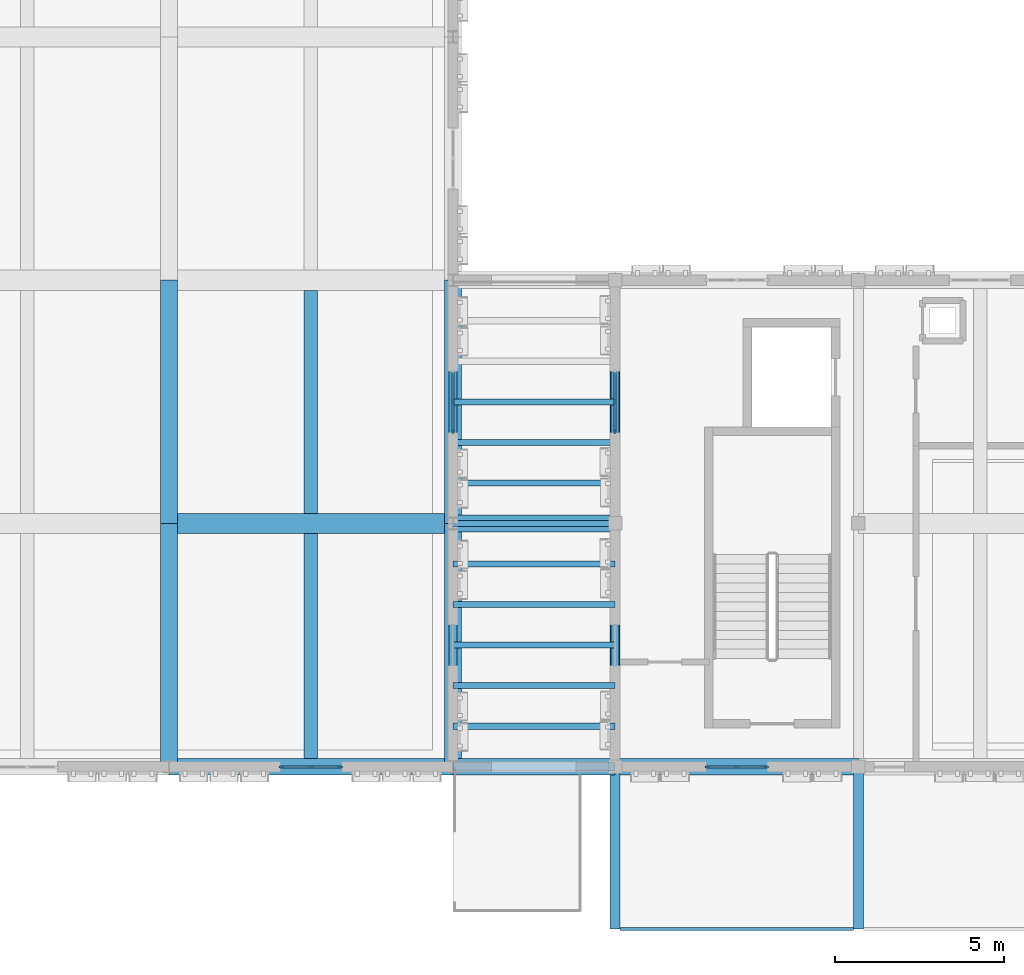
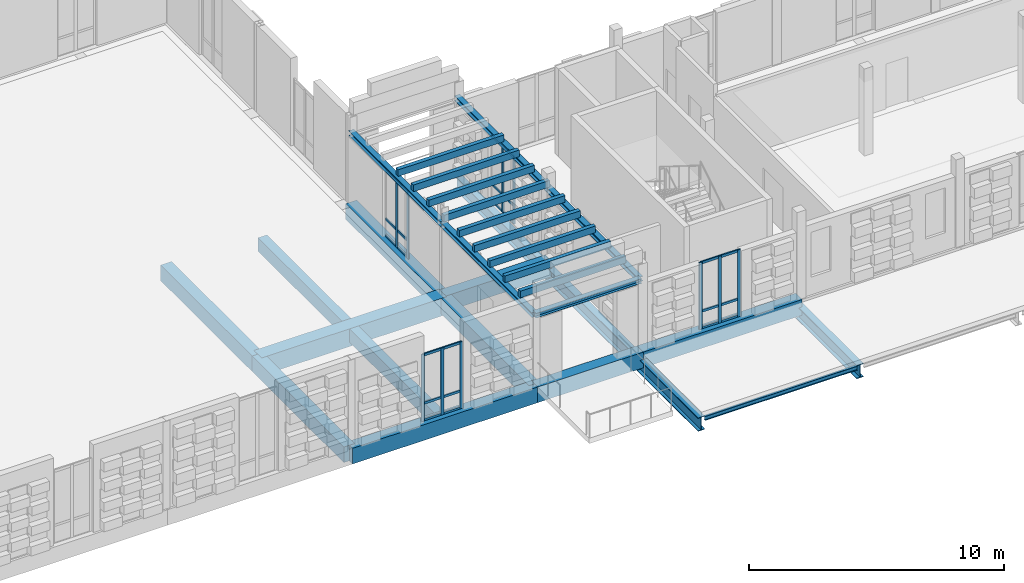
# One storey, part 13 of 99: 31 members, 20 beams, 4 elements without a shape of their own.
"""IFC4 building model written with IfcOpenShell, lengths in metres."""

from ifc_helpers import new_model, si_unit, direction, frame, origin, origin_2d, place, context, subcontext, project, spatial, rectangle, i_section, extrude, material, material_profile, profile_set, type_object, element, aggregate, save


model = new_model("IFC4")

# Units and contexts
model_context = context("Model", 3, precision=1e-05, world=origin(), true_north=direction((0.0, 1.0)))
body_context = subcontext(model_context, "Body", "Model", "MODEL_VIEW")
ifc_project = project(units=[si_unit("LENGTHUNIT", "METRE"), si_unit("AREAUNIT", "SQUARE_METRE"), si_unit("VOLUMEUNIT", "CUBIC_METRE"), si_unit("PLANEANGLEUNIT", "RADIAN"), si_unit("MASSUNIT", "GRAM", prefix="KILO")], contexts=[model_context])

# Site, building, storey
site_placement = place(None, origin())
site = spatial("IfcSite", under=ifc_project, at=site_placement, CompositionType="ELEMENT")
building_placement = place(site_placement, origin())
building = spatial("IfcBuilding", under=site, at=building_placement, Name="Kahlenmark Community Centre", CompositionType="ELEMENT")
storey_placement = place(building_placement, frame((0.0, 0.0, 5.39990234375)))
storey = spatial("IfcBuildingStorey", under=building, at=storey_placement, Name="L01", CompositionType="ELEMENT", Elevation=5.39990234375)

# Beams
ifc_material_1 = material(Name="Steel S355", Category="steel")
ifc_material_profile_1 = material_profile(ifc_material_1, i_section(OverallWidth=0.300048828125, OverallDepth=0.64990234375, WebThickness=0.01611328125, FlangeThickness=0.031005859375, at=origin_2d()), Name="HEB 650")
ifc_profile_set_1 = profile_set([ifc_material_profile_1], Name="Steel S355")
beam_type_1 = type_object("IfcBeamType", Name="BT-BEAM-HEB650", PredefinedType="BEAM", material=ifc_profile_set_1)
beam_1_placement = place(storey_placement, frame((50.800048828125, 4.0, -0.6748046875), z_axis=(0.0, 1.0, 0.0), x_axis=(-1.0, 0.0, 0.0)))
element("IfcBeam", 1, at=beam_1_placement, inside=storey, type_object=beam_type_1, Name="L01 beam BG-CAN650", PredefinedType="BEAM", context=body_context, shape_type="SweptSolid", body=[
    extrude(i_section(OverallWidth=0.300048828125, OverallDepth=0.64990234375, WebThickness=0.01611328125, FlangeThickness=0.031005859375, at=origin_2d()), origin(), (0.0, 0.0, 1.0), 4.800048828125),
])
beam_2_placement = place(storey_placement, frame((50.800048828125, 8.800048828125, -0.6748046875), z_axis=(0.0, 1.0, 0.0), x_axis=(-1.0, 0.0, 0.0)))
element("IfcBeam", 2, at=beam_2_placement, inside=storey, type_object=beam_type_1, Name="L01 beam BG-CAN650", PredefinedType="BEAM", context=body_context, shape_type="SweptSolid", body=[
    extrude(i_section(OverallWidth=0.300048828125, OverallDepth=0.64990234375, WebThickness=0.01611328125, FlangeThickness=0.031005859375, at=origin_2d()), origin(), (0.0, 0.0, 1.0), 14.39990234375),
])
beam_3_placement = place(storey_placement, frame((58.0, 4.0, -0.6748046875), z_axis=(0.0, 1.0, 0.0), x_axis=(-1.0, 0.0, 0.0)))
element("IfcBeam", 3, at=beam_3_placement, inside=storey, type_object=beam_type_1, Name="L01 beam BG-CAN650", PredefinedType="BEAM", context=body_context, shape_type="SweptSolid", body=[
    extrude(i_section(OverallWidth=0.300048828125, OverallDepth=0.64990234375, WebThickness=0.01611328125, FlangeThickness=0.031005859375, at=origin_2d()), origin(), (0.0, 0.0, 1.0), 4.800048828125),
])
ifc_material_2 = material(Name="Concrete C35/45", Category="concrete")
ifc_material_profile_2 = material_profile(ifc_material_2, rectangle(XDim=0.5, YDim=0.75, at=origin_2d()), Name="RC 500x750")
ifc_profile_set_2 = profile_set([ifc_material_profile_2], Name="Concrete C35/45")
beam_type_2 = type_object("IfcBeamType", Name="BT-BEAM-RC500x750", PredefinedType="BEAM", material=ifc_profile_set_2)
for number, where, z_axis, x_axis, name in (
    (4, (37.60009765625, 8.800048828125, -0.375), (0.0, 1.0, 0.0), (-1.0, 0.0, 0.0), "L01 beam BG-RC500x750"),
    (5, (37.60009765625, 16.0, -0.375), (0.0, 1.0, 0.0), (-1.0, 0.0, 0.0), "L01 beam BG-RC500x750"),
):
    element("IfcBeam", number, at=place(storey_placement, frame(where, z_axis=z_axis, x_axis=x_axis)), inside=storey, type_object=beam_type_2, Name=name, PredefinedType="BEAM", context=body_context, shape_type="SweptSolid", body=[
        extrude(rectangle(XDim=0.5, YDim=0.75, at=origin_2d()), origin(), (0.0, 0.0, 1.0), 7.199951171875),
    ])
ifc_material_profile_3 = material_profile(ifc_material_2, rectangle(XDim=0.60009765625, YDim=0.85009765625, at=origin_2d()), Name="RC 600x850")
ifc_profile_set_3 = profile_set([ifc_material_profile_3], Name="Concrete C35/45")
beam_type_3 = type_object("IfcBeamType", Name="BT-BEAM-RC600x850", PredefinedType="BEAM", material=ifc_profile_set_3)
beam_4_placement = place(storey_placement, frame((37.60009765625, 16.0, -0.4248046875), z_axis=(1.0, 0.0, 0.0), x_axis=(0.0, 1.0, 0.0)))
element("IfcBeam", 6, at=beam_4_placement, inside=storey, type_object=beam_type_3, Name="L01 beam BG-RC600x850", PredefinedType="BEAM", context=body_context, shape_type="SweptSolid", body=[
    extrude(rectangle(XDim=0.60009765625, YDim=0.85009765625, at=origin_2d()), origin(), (0.0, 0.0, 1.0), 8.39990234375),
])
ifc_material_profile_4 = material_profile(ifc_material_2, rectangle(XDim=0.39990234375, YDim=0.64990234375, at=origin_2d()), Name="RC 400x650")
ifc_profile_set_4 = profile_set([ifc_material_profile_4], Name="Concrete C35/45")
beam_type_4 = type_object("IfcBeamType", Name="BT-JOIST-RC400x650", PredefinedType="JOIST", material=ifc_profile_set_4)
beam_5_placement = place(storey_placement, frame((41.800048828125, 9.048095703125, -0.324951171875), z_axis=(0.0, 1.0, 0.0), x_axis=(-1.0, 0.0, 0.0)))
element("IfcBeam", 7, at=beam_5_placement, inside=storey, type_object=beam_type_4, Name="L01 joist BJ-RC400x650", PredefinedType="JOIST", context=body_context, shape_type="SweptSolid", body=[
    extrude(rectangle(XDim=0.39990234375, YDim=0.64990234375, at=origin_2d()), origin(), (0.0, 0.0, 1.0), 6.65380859375),
])
beam_6_placement = place(storey_placement, frame((41.800048828125, 16.298095703125, -0.324951171875), z_axis=(0.0, 1.0, 0.0), x_axis=(-1.0, 0.0, 0.0)))
element("IfcBeam", 8, at=beam_6_placement, inside=storey, type_object=beam_type_4, Name="L01 joist BJ-RC400x650", PredefinedType="JOIST", context=body_context, shape_type="SweptSolid", body=[
    extrude(rectangle(XDim=0.39990234375, YDim=0.64990234375, at=origin_2d()), origin(), (0.0, 0.0, 1.0), 6.60400390625),
])
ifc_material_profile_5 = material_profile(ifc_material_1, i_section(OverallWidth=0.239990234375, OverallDepth=0.22998046875, WebThickness=0.007568359375, FlangeThickness=0.011962890625, at=origin_2d()), Name="HEA 240")
ifc_profile_set_5 = profile_set([ifc_material_profile_5], Name="Steel S355")
beam_type_5 = type_object("IfcBeamType", Name="BT-SPANDREL-HEA240", PredefinedType="SPANDREL", material=ifc_profile_set_5)
beam_7_placement = place(storey_placement, frame((46.0, 8.800048828125, 3.335205078125), z_axis=(1.0, 0.0, 0.0), x_axis=(0.0, 1.0, 0.0)))
element("IfcBeam", 9, at=beam_7_placement, inside=storey, type_object=beam_type_5, Name="L01 spandrel SP-PRG240", PredefinedType="SPANDREL", context=body_context, shape_type="SweptSolid", body=[
    extrude(i_section(OverallWidth=0.239990234375, OverallDepth=0.22998046875, WebThickness=0.007568359375, FlangeThickness=0.011962890625, at=origin_2d()), origin(), (0.0, 0.0, 1.0), 4.800048828125),
])
for number, where, z_axis, x_axis, name in (
    (10, (46.0, 8.800048828125, 3.335205078125), (0.0, 1.0, 0.0), (-1.0, 0.0, 0.0), "L01 spandrel SP-PRG240"),
    (11, (50.800048828125, 8.800048828125, 3.335205078125), (0.0, 1.0, 0.0), (-1.0, 0.0, 0.0), "L01 spandrel SP-PRG240"),
    (12, (46.0, 16.0, 3.335205078125), (0.0, 1.0, 0.0), (-1.0, 0.0, 0.0), "L01 spandrel SP-PRG240"),
    (13, (50.800048828125, 16.0, 3.335205078125), (0.0, 1.0, 0.0), (-1.0, 0.0, 0.0), "L01 spandrel SP-PRG240"),
):
    element("IfcBeam", number, at=place(storey_placement, frame(where, z_axis=z_axis, x_axis=x_axis)), inside=storey, type_object=beam_type_5, Name=name, PredefinedType="SPANDREL", context=body_context, shape_type="SweptSolid", body=[
        extrude(i_section(OverallWidth=0.239990234375, OverallDepth=0.22998046875, WebThickness=0.007568359375, FlangeThickness=0.011962890625, at=origin_2d()), origin(), (0.0, 0.0, 1.0), 7.199951171875),
    ])
ifc_material_profile_6 = material_profile(ifc_material_1, i_section(OverallWidth=0.10009765625, OverallDepth=0.199951171875, WebThickness=0.005615234375, FlangeThickness=0.008544921875, at=origin_2d()), Name="IPE 200")
ifc_profile_set_6 = profile_set([ifc_material_profile_6], Name="Steel S355")
beam_type_6 = type_object("IfcBeamType", Name="BT-SPANDREL-IPE200", PredefinedType="SPANDREL", material=ifc_profile_set_6)
beam_8_placement = place(storey_placement, frame((50.949951171875, 4.0, -0.449951171875), z_axis=(1.0, 0.0, 0.0), x_axis=(0.0, 1.0, 0.0)))
element("IfcBeam", 14, at=beam_8_placement, inside=storey, type_object=beam_type_6, Name="L01 spandrel SP-CAN200", PredefinedType="SPANDREL", context=body_context, shape_type="SweptSolid", body=[
    extrude(i_section(OverallWidth=0.10009765625, OverallDepth=0.199951171875, WebThickness=0.005615234375, FlangeThickness=0.008544921875, at=origin_2d()), origin(), (0.0, 0.0, 1.0), 6.900146484375),
])
ifc_material_profile_7 = material_profile(ifc_material_2, rectangle(XDim=0.5, YDim=0.75, at=origin_2d()), Name="RC 500x750")
ifc_profile_set_7 = profile_set([ifc_material_profile_7], Name="Concrete C35/45")
beam_type_7 = type_object("IfcBeamType", Name="BT-SPANDREL-RC500x750", PredefinedType="SPANDREL", material=ifc_profile_set_7)
beam_9_placement = place(storey_placement, frame((37.60009765625, 8.800048828125, -0.375), z_axis=(1.0, 0.0, 0.0), x_axis=(0.0, 1.0, 0.0)))
element("IfcBeam", 15, at=beam_9_placement, inside=storey, type_object=beam_type_7, Name="L01 spandrel SP-RC500x750", PredefinedType="SPANDREL", context=body_context, shape_type="SweptSolid", body=[
    extrude(rectangle(XDim=0.5, YDim=0.75, at=origin_2d()), origin(), (0.0, 0.0, 1.0), 8.39990234375),
])
for number, where, z_axis, x_axis, name in (
    (16, (46.0, 8.800048828125, -0.375), (0.0, 1.0, 0.0), (-1.0, 0.0, 0.0), "L01 spandrel SP-RC500x750"),
    (17, (46.0, 16.0, -0.375), (0.0, 1.0, 0.0), (-1.0, 0.0, 0.0), "L01 spandrel SP-RC500x750"),
    (18, (50.800048828125, 8.800048828125, -0.375), (1.0, 0.0, 0.0), (0.0, 1.0, 0.0), "L01 spandrel SP-RC500x750"),
):
    element("IfcBeam", number, at=place(storey_placement, frame(where, z_axis=z_axis, x_axis=x_axis)), inside=storey, type_object=beam_type_7, Name=name, PredefinedType="SPANDREL", context=body_context, shape_type="SweptSolid", body=[
        extrude(rectangle(XDim=0.5, YDim=0.75, at=origin_2d()), origin(), (0.0, 0.0, 1.0), 7.199951171875),
    ])
for number, where, z_axis, x_axis, name in (
    (19, (46.0, 8.800048828125, -0.375), (1.0, 0.0, 0.0), (0.0, 1.0, 0.0), "L01 spandrel SP-RC500x750"),
    (20, (46.0, 16.0, -0.375), (1.0, 0.0, 0.0), (0.0, 1.0, 0.0), "L01 spandrel SP-RC500x750"),
):
    element("IfcBeam", number, at=place(storey_placement, frame(where, z_axis=z_axis, x_axis=x_axis)), inside=storey, type_object=beam_type_7, Name=name, PredefinedType="SPANDREL", context=body_context, shape_type="SweptSolid", body=[
        extrude(rectangle(XDim=0.5, YDim=0.75, at=origin_2d()), origin(), (0.0, 0.0, 1.0), 4.800048828125),
    ])

# Curtain wall, members
ifc_material_3 = material(Name="Anodised aluminium unitised curtain wall", Category="aluminium")
curtain_wall_type = type_object("IfcCurtainWallType", Name="CWT-UNIT-180X321", PredefinedType="USERDEFINED", material=ifc_material_3)
curtain_wall_1_placement = place(storey_placement, origin())
curtain_wall_1 = element("IfcCurtainWall", 21, at=curtain_wall_1_placement, inside=storey, type_object=curtain_wall_type, Name="Unitised curtain wall CW-003", ObjectType="UNITISED CURTAIN WALL", PredefinedType="USERDEFINED")
ifc_material_4 = material(Name="Anodised aluminium 6063-T6", Category="aluminium")
ifc_material_profile_8 = material_profile(ifc_material_4, rectangle(XDim=0.06005859375, YDim=0.139892578125, at=origin_2d()), Name="ALU MULLION 60x140")
ifc_profile_set_8 = profile_set([ifc_material_profile_8], Name="Anodised aluminium 6063-T6")
member_type_1 = type_object("IfcMemberType", Name="MT-MUL-140", PredefinedType="MULLION", material=ifc_profile_set_8)
member_1_placement = place(storey_placement, frame((40.929931640625, 8.800048828125, 0.0), z_axis=(0.0, 0.0, 1.0), x_axis=(0.0, 1.0, 0.0)))
member_1 = element("IfcMember", 22, at=member_1_placement, type_object=member_type_1, Name="CW-003 mullion 1", PredefinedType="MULLION", context=body_context, shape_type="SweptSolid", body=[
    extrude(rectangle(XDim=0.06005859375, YDim=0.139892578125, at=origin_2d()), origin(), (0.0, 0.0, 1.0), 3.210205078125),
])
member_2_placement = place(storey_placement, frame((41.800048828125, 8.800048828125, 0.0), z_axis=(0.0, 0.0, 1.0), x_axis=(0.0, 1.0, 0.0)))
member_2 = element("IfcMember", 23, at=member_2_placement, type_object=member_type_1, Name="CW-003 mullion 2", PredefinedType="MULLION", context=body_context, shape_type="SweptSolid", body=[
    extrude(rectangle(XDim=0.06005859375, YDim=0.139892578125, at=origin_2d()), origin(), (0.0, 0.0, 1.0), 3.210205078125),
])
member_3_placement = place(storey_placement, frame((42.669921875, 8.800048828125, 0.0), z_axis=(0.0, 0.0, 1.0), x_axis=(0.0, 1.0, 0.0)))
member_3 = element("IfcMember", 24, at=member_3_placement, type_object=member_type_1, Name="CW-003 mullion 3", PredefinedType="MULLION", context=body_context, shape_type="SweptSolid", body=[
    extrude(rectangle(XDim=0.06005859375, YDim=0.139892578125, at=origin_2d()), origin(), (0.0, 0.0, 1.0), 3.210205078125),
])

curtain_wall_2_placement = place(storey_placement, origin())
curtain_wall_2 = element("IfcCurtainWall", 25, at=curtain_wall_2_placement, inside=storey, type_object=curtain_wall_type, Name="Unitised curtain wall CW-006", ObjectType="UNITISED CURTAIN WALL", PredefinedType="USERDEFINED")
member_4_placement = place(storey_placement, frame((46.0, 18.72998046875, 0.0), z_axis=(0.0, 0.0, 1.0), x_axis=(-1.0, 0.0, 0.0)))
member_4 = element("IfcMember", 26, at=member_4_placement, type_object=member_type_1, Name="CW-006 mullion 1", PredefinedType="MULLION", context=body_context, shape_type="SweptSolid", body=[
    extrude(rectangle(XDim=0.06005859375, YDim=0.139892578125, at=origin_2d()), origin(), (0.0, 0.0, 1.0), 3.210205078125),
])
member_5_placement = place(storey_placement, frame((46.0, 19.60009765625, 0.0), z_axis=(0.0, 0.0, 1.0), x_axis=(-1.0, 0.0, 0.0)))
member_5 = element("IfcMember", 27, at=member_5_placement, type_object=member_type_1, Name="CW-006 mullion 2", PredefinedType="MULLION", context=body_context, shape_type="SweptSolid", body=[
    extrude(rectangle(XDim=0.06005859375, YDim=0.139892578125, at=origin_2d()), origin(), (0.0, 0.0, 1.0), 3.210205078125),
])

curtain_wall_3_placement = place(storey_placement, origin())
curtain_wall_3 = element("IfcCurtainWall", 28, at=curtain_wall_3_placement, inside=storey, type_object=curtain_wall_type, Name="Unitised curtain wall CW-019", ObjectType="UNITISED CURTAIN WALL", PredefinedType="USERDEFINED")
member_6_placement = place(storey_placement, frame((53.530029296875, 8.800048828125, 0.0), z_axis=(0.0, 0.0, 1.0), x_axis=(0.0, 1.0, 0.0)))
member_6 = element("IfcMember", 29, at=member_6_placement, type_object=member_type_1, Name="CW-019 mullion 1", PredefinedType="MULLION", context=body_context, shape_type="SweptSolid", body=[
    extrude(rectangle(XDim=0.06005859375, YDim=0.139892578125, at=origin_2d()), origin(), (0.0, 0.0, 1.0), 3.210205078125),
])
member_7_placement = place(storey_placement, frame((54.39990234375, 8.800048828125, 0.0), z_axis=(0.0, 0.0, 1.0), x_axis=(0.0, 1.0, 0.0)))
member_7 = element("IfcMember", 30, at=member_7_placement, type_object=member_type_1, Name="CW-019 mullion 2", PredefinedType="MULLION", context=body_context, shape_type="SweptSolid", body=[
    extrude(rectangle(XDim=0.06005859375, YDim=0.139892578125, at=origin_2d()), origin(), (0.0, 0.0, 1.0), 3.210205078125),
])
member_8_placement = place(storey_placement, frame((55.27001953125, 8.800048828125, 0.0), z_axis=(0.0, 0.0, 1.0), x_axis=(0.0, 1.0, 0.0)))
member_8 = element("IfcMember", 31, at=member_8_placement, type_object=member_type_1, Name="CW-019 mullion 3", PredefinedType="MULLION", context=body_context, shape_type="SweptSolid", body=[
    extrude(rectangle(XDim=0.06005859375, YDim=0.139892578125, at=origin_2d()), origin(), (0.0, 0.0, 1.0), 3.210205078125),
])

curtain_wall_4_placement = place(storey_placement, origin())
curtain_wall_4 = element("IfcCurtainWall", 32, at=curtain_wall_4_placement, inside=storey, type_object=curtain_wall_type, Name="Unitised curtain wall CW-027", ObjectType="UNITISED CURTAIN WALL", PredefinedType="USERDEFINED")
member_9_placement = place(storey_placement, frame((50.800048828125, 19.60009765625, 0.0), z_axis=(0.0, 0.0, 1.0), x_axis=(1.0, 0.0, 0.0)))
member_9 = element("IfcMember", 33, at=member_9_placement, type_object=member_type_1, Name="CW-027 mullion 2", PredefinedType="MULLION", context=body_context, shape_type="SweptSolid", body=[
    extrude(rectangle(XDim=0.06005859375, YDim=0.139892578125, at=origin_2d()), origin(), (0.0, 0.0, 1.0), 3.210205078125),
])
member_10_placement = place(storey_placement, frame((50.800048828125, 18.72998046875, 0.0), z_axis=(0.0, 0.0, 1.0), x_axis=(1.0, 0.0, 0.0)))
member_10 = element("IfcMember", 34, at=member_10_placement, type_object=member_type_1, Name="CW-027 mullion 3", PredefinedType="MULLION", context=body_context, shape_type="SweptSolid", body=[
    extrude(rectangle(XDim=0.06005859375, YDim=0.139892578125, at=origin_2d()), origin(), (0.0, 0.0, 1.0), 3.210205078125),
])

# Members
ifc_material_5 = material(Name="Glulam GL28h", Category="wood")
ifc_material_profile_9 = material_profile(ifc_material_5, rectangle(XDim=0.179931640625, YDim=0.320068359375, at=origin_2d()), Name="GL28h 180x320")
ifc_profile_set_9 = profile_set([ifc_material_profile_9], Name="Glulam GL28h")
member_type_2 = type_object("IfcMemberType", Name="MT-RAFTER-GL28h180x320", PredefinedType="RAFTER", material=ifc_profile_set_9)
for number, where, z_axis, x_axis, name in (
    (35, (46.0, 10.0, 3.610107421875), (1.0, 0.0, 0.0), (0.0, 1.0, 0.0), "L01 rafter PRG-RAF"),
    (36, (46.0, 11.199951171875, 3.610107421875), (1.0, 0.0, 0.0), (0.0, 1.0, 0.0), "L01 rafter PRG-RAF"),
    (37, (46.0, 12.39990234375, 3.610107421875), (1.0, 0.0, 0.0), (0.0, 1.0, 0.0), "L01 rafter PRG-RAF"),
    (38, (46.0, 13.60009765625, 3.610107421875), (1.0, 0.0, 0.0), (0.0, 1.0, 0.0), "L01 rafter PRG-RAF"),
    (39, (46.0, 14.800048828125, 3.610107421875), (1.0, 0.0, 0.0), (0.0, 1.0, 0.0), "L01 rafter PRG-RAF"),
    (40, (46.0, 16.0, 3.610107421875), (1.0, 0.0, 0.0), (0.0, 1.0, 0.0), "L01 rafter PRG-RAF"),
    (41, (46.0, 17.199951171875, 3.610107421875), (1.0, 0.0, 0.0), (0.0, 1.0, 0.0), "L01 rafter PRG-RAF"),
    (42, (46.0, 18.39990234375, 3.610107421875), (1.0, 0.0, 0.0), (0.0, 1.0, 0.0), "L01 rafter PRG-RAF"),
    (43, (46.0, 19.60009765625, 3.610107421875), (1.0, 0.0, 0.0), (0.0, 1.0, 0.0), "L01 rafter PRG-RAF"),
):
    element("IfcMember", number, at=place(storey_placement, frame(where, z_axis=z_axis, x_axis=x_axis)), inside=storey, type_object=member_type_2, Name=name, PredefinedType="RAFTER", context=body_context, shape_type="SweptSolid", body=[
        extrude(rectangle(XDim=0.179931640625, YDim=0.320068359375, at=origin_2d()), origin(), (0.0, 0.0, 1.0), 4.800048828125),
    ])

# Member
ifc_material_profile_10 = material_profile(ifc_material_4, rectangle(XDim=0.06005859375, YDim=0.1201171875, at=origin_2d()), Name="ALU TRANSOM 60x120")
ifc_profile_set_10 = profile_set([ifc_material_profile_10], Name="Anodised aluminium 6063-T6")
member_type_3 = type_object("IfcMemberType", Name="MT-TRN-120", PredefinedType="USERDEFINED", material=ifc_profile_set_10)
member_11_placement = place(storey_placement, frame((40.929931640625, 8.800048828125, 0.0400390625), z_axis=(1.0, 0.0, 0.0), x_axis=(0.0, 1.0, 0.0)))
member_11 = element("IfcMember", 44, at=member_11_placement, type_object=member_type_3, Name="CW-003 transom 1", ObjectType="TRANSOM", PredefinedType="USERDEFINED", context=body_context, shape_type="SweptSolid", body=[
    extrude(rectangle(XDim=0.06005859375, YDim=0.1201171875, at=origin_2d()), origin(), (0.0, 0.0, 1.0), 1.739990234375),
])

member_12_placement = place(storey_placement, frame((40.929931640625, 8.800048828125, 0.85009765625), z_axis=(1.0, 0.0, 0.0), x_axis=(0.0, 1.0, 0.0)))
member_12 = element("IfcMember", 45, at=member_12_placement, type_object=member_type_3, Name="CW-003 transom 2", ObjectType="TRANSOM", PredefinedType="USERDEFINED", context=body_context, shape_type="SweptSolid", body=[
    extrude(rectangle(XDim=0.06005859375, YDim=0.1201171875, at=origin_2d()), origin(), (0.0, 0.0, 1.0), 1.739990234375),
])

member_13_placement = place(storey_placement, frame((40.929931640625, 8.800048828125, 3.170166015625), z_axis=(1.0, 0.0, 0.0), x_axis=(0.0, 1.0, 0.0)))
member_13 = element("IfcMember", 46, at=member_13_placement, type_object=member_type_3, Name="CW-003 transom 3", ObjectType="TRANSOM", PredefinedType="USERDEFINED", context=body_context, shape_type="SweptSolid", body=[
    extrude(rectangle(XDim=0.06005859375, YDim=0.1201171875, at=origin_2d()), origin(), (0.0, 0.0, 1.0), 1.739990234375),
])

aggregate(curtain_wall_1, [member_1, member_2, member_3, member_11, member_12, member_13])

member_14_placement = place(storey_placement, frame((46.0, 18.72998046875, 0.0400390625), z_axis=(0.0, 1.0, 0.0), x_axis=(-1.0, 0.0, 0.0)))
member_14 = element("IfcMember", 47, at=member_14_placement, type_object=member_type_3, Name="CW-006 transom 1", ObjectType="TRANSOM", PredefinedType="USERDEFINED", context=body_context, shape_type="SweptSolid", body=[
    extrude(rectangle(XDim=0.06005859375, YDim=0.1201171875, at=origin_2d()), origin(), (0.0, 0.0, 1.0), 1.739990234375),
])

member_15_placement = place(storey_placement, frame((46.0, 18.72998046875, 0.85009765625), z_axis=(0.0, 1.0, 0.0), x_axis=(-1.0, 0.0, 0.0)))
member_15 = element("IfcMember", 48, at=member_15_placement, type_object=member_type_3, Name="CW-006 transom 2", ObjectType="TRANSOM", PredefinedType="USERDEFINED", context=body_context, shape_type="SweptSolid", body=[
    extrude(rectangle(XDim=0.06005859375, YDim=0.1201171875, at=origin_2d()), origin(), (0.0, 0.0, 1.0), 1.739990234375),
])

member_16_placement = place(storey_placement, frame((46.0, 18.72998046875, 3.170166015625), z_axis=(0.0, 1.0, 0.0), x_axis=(-1.0, 0.0, 0.0)))
member_16 = element("IfcMember", 49, at=member_16_placement, type_object=member_type_3, Name="CW-006 transom 3", ObjectType="TRANSOM", PredefinedType="USERDEFINED", context=body_context, shape_type="SweptSolid", body=[
    extrude(rectangle(XDim=0.06005859375, YDim=0.1201171875, at=origin_2d()), origin(), (0.0, 0.0, 1.0), 1.739990234375),
])

aggregate(curtain_wall_2, [member_4, member_5, member_14, member_15, member_16])

member_17_placement = place(storey_placement, frame((53.530029296875, 8.800048828125, 0.0400390625), z_axis=(1.0, 0.0, 0.0), x_axis=(0.0, 1.0, 0.0)))
member_17 = element("IfcMember", 50, at=member_17_placement, type_object=member_type_3, Name="CW-019 transom 1", ObjectType="TRANSOM", PredefinedType="USERDEFINED", context=body_context, shape_type="SweptSolid", body=[
    extrude(rectangle(XDim=0.06005859375, YDim=0.1201171875, at=origin_2d()), origin(), (0.0, 0.0, 1.0), 1.739990234375),
])

member_18_placement = place(storey_placement, frame((53.530029296875, 8.800048828125, 0.85009765625), z_axis=(1.0, 0.0, 0.0), x_axis=(0.0, 1.0, 0.0)))
member_18 = element("IfcMember", 51, at=member_18_placement, type_object=member_type_3, Name="CW-019 transom 2", ObjectType="TRANSOM", PredefinedType="USERDEFINED", context=body_context, shape_type="SweptSolid", body=[
    extrude(rectangle(XDim=0.06005859375, YDim=0.1201171875, at=origin_2d()), origin(), (0.0, 0.0, 1.0), 1.739990234375),
])

member_19_placement = place(storey_placement, frame((53.530029296875, 8.800048828125, 3.170166015625), z_axis=(1.0, 0.0, 0.0), x_axis=(0.0, 1.0, 0.0)))
member_19 = element("IfcMember", 52, at=member_19_placement, type_object=member_type_3, Name="CW-019 transom 3", ObjectType="TRANSOM", PredefinedType="USERDEFINED", context=body_context, shape_type="SweptSolid", body=[
    extrude(rectangle(XDim=0.06005859375, YDim=0.1201171875, at=origin_2d()), origin(), (0.0, 0.0, 1.0), 1.739990234375),
])

aggregate(curtain_wall_3, [member_6, member_7, member_8, member_17, member_18, member_19])

member_20_placement = place(storey_placement, frame((50.800048828125, 20.469970703125, 0.0400390625), z_axis=(0.0, -1.0, 0.0), x_axis=(1.0, 0.0, 0.0)))
member_20 = element("IfcMember", 53, at=member_20_placement, type_object=member_type_3, Name="CW-027 transom 1", ObjectType="TRANSOM", PredefinedType="USERDEFINED", context=body_context, shape_type="SweptSolid", body=[
    extrude(rectangle(XDim=0.06005859375, YDim=0.1201171875, at=origin_2d()), origin(), (0.0, 0.0, 1.0), 1.739990234375),
])

member_21_placement = place(storey_placement, frame((50.800048828125, 20.469970703125, 0.85009765625), z_axis=(0.0, -1.0, 0.0), x_axis=(1.0, 0.0, 0.0)))
member_21 = element("IfcMember", 54, at=member_21_placement, type_object=member_type_3, Name="CW-027 transom 2", ObjectType="TRANSOM", PredefinedType="USERDEFINED", context=body_context, shape_type="SweptSolid", body=[
    extrude(rectangle(XDim=0.06005859375, YDim=0.1201171875, at=origin_2d()), origin(), (0.0, 0.0, 1.0), 1.739990234375),
])

member_22_placement = place(storey_placement, frame((50.800048828125, 20.469970703125, 3.170166015625), z_axis=(0.0, -1.0, 0.0), x_axis=(1.0, 0.0, 0.0)))
member_22 = element("IfcMember", 55, at=member_22_placement, type_object=member_type_3, Name="CW-027 transom 3", ObjectType="TRANSOM", PredefinedType="USERDEFINED", context=body_context, shape_type="SweptSolid", body=[
    extrude(rectangle(XDim=0.06005859375, YDim=0.1201171875, at=origin_2d()), origin(), (0.0, 0.0, 1.0), 1.739990234375),
])

aggregate(curtain_wall_4, [member_9, member_10, member_20, member_21, member_22])

save(model, "model.ifc")
